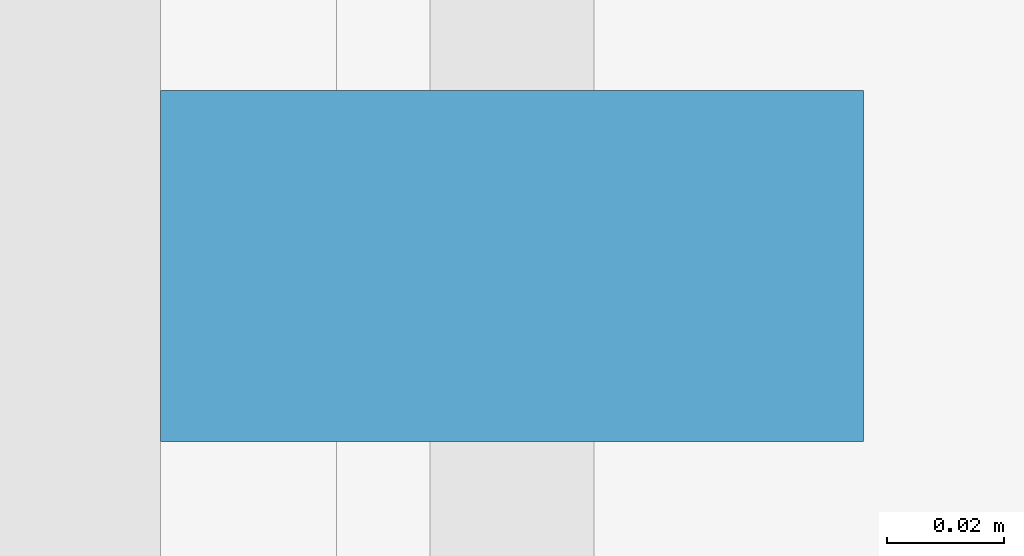
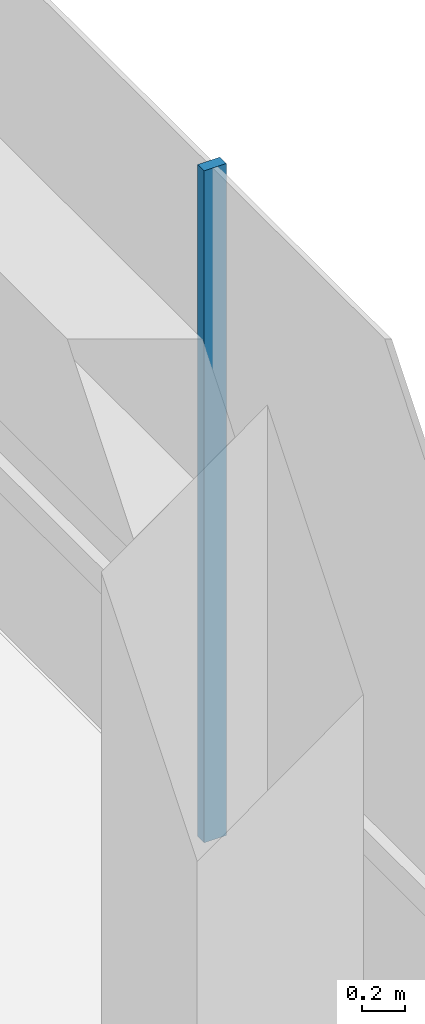
# One storey, part 13 of 23: 1 member, 1 element without a shape of its own.
"""IFC4 building model written with IfcOpenShell, lengths in metres."""

from ifc_helpers import new_model, si_unit, direction, frame, origin, origin_2d, place, context, subcontext, project, spatial, rectangle, extrude, material, layer, layer_set, material_profile, profile_set, type_object, element, aggregate, save


model = new_model("IFC4")

# Units and contexts
model_context = context("Model", 3, precision=1e-05, world=origin(), true_north=direction((0.0, 1.0)))
body_context = subcontext(model_context, "Body", "Model", "MODEL_VIEW")
ifc_project = project(units=[si_unit("LENGTHUNIT", "METRE"), si_unit("AREAUNIT", "SQUARE_METRE"), si_unit("VOLUMEUNIT", "CUBIC_METRE"), si_unit("PLANEANGLEUNIT", "RADIAN"), si_unit("MASSUNIT", "GRAM", prefix="KILO")], contexts=[model_context])

# Site, building, storey
site_placement = place(None, origin())
site = spatial("IfcSite", under=ifc_project, at=site_placement, CompositionType="ELEMENT")
building_placement = place(site_placement, origin())
building = spatial("IfcBuilding", under=site, at=building_placement, Name="Welwitschia Terrace Campus", CompositionType="ELEMENT")
storey_placement = place(building_placement, frame((0.0, 0.0, 205.39990234375)))
storey = spatial("IfcBuildingStorey", under=building, at=storey_placement, Name="L45", CompositionType="ELEMENT", Elevation=205.39990234375)

# Curtain wall, member
ifc_material_1 = material(Name="Bronze anodised aluminium", Category="aluminium")
ifc_layer = layer(ifc_material_1, 0.1201171875)
ifc_layer_set = layer_set([ifc_layer], Name="Bronze anodised aluminium")
curtain_wall_type = type_object("IfcCurtainWallType", Name="Curtain wall CW2 tower 6000", PredefinedType="NOTDEFINED", material=ifc_layer_set)
curtain_wall_placement = place(storey_placement, origin())
curtain_wall = element("IfcCurtainWall", 1, at=curtain_wall_placement, inside=storey, type_object=curtain_wall_type, Name="CW L45.7.0", PredefinedType="NOTDEFINED")
ifc_material_2 = material(Name="Bronze anodised aluminium", Category="aluminium")
ifc_material_profile = material_profile(ifc_material_2, rectangle(XDim=0.1201171875, YDim=0.06005859375, at=origin_2d()))
ifc_profile_set = profile_set([ifc_material_profile], Name="Bronze anodised aluminium")
member_type = type_object("IfcMemberType", Name="Mullion 60x120", PredefinedType="MULLION", material=ifc_profile_set)
member_placement = place(storey_placement, frame((25.030029296875, 53.974609375, 0.0), z_axis=(0.0, 0.0, 1.0), x_axis=(-1.0, 0.0, 0.0)))
member = element("IfcMember", 2, at=member_placement, type_object=member_type, Name="Mullion L45.7.0.3", PredefinedType="MULLION", context=body_context, shape_type="SweptSolid", body=[
    extrude(rectangle(XDim=0.1201171875, YDim=0.06005859375, at=origin_2d()), origin(), (0.0, 0.0, 1.0), 3.85009765625),
])
aggregate(curtain_wall, [member])

save(model, "model.ifc")
